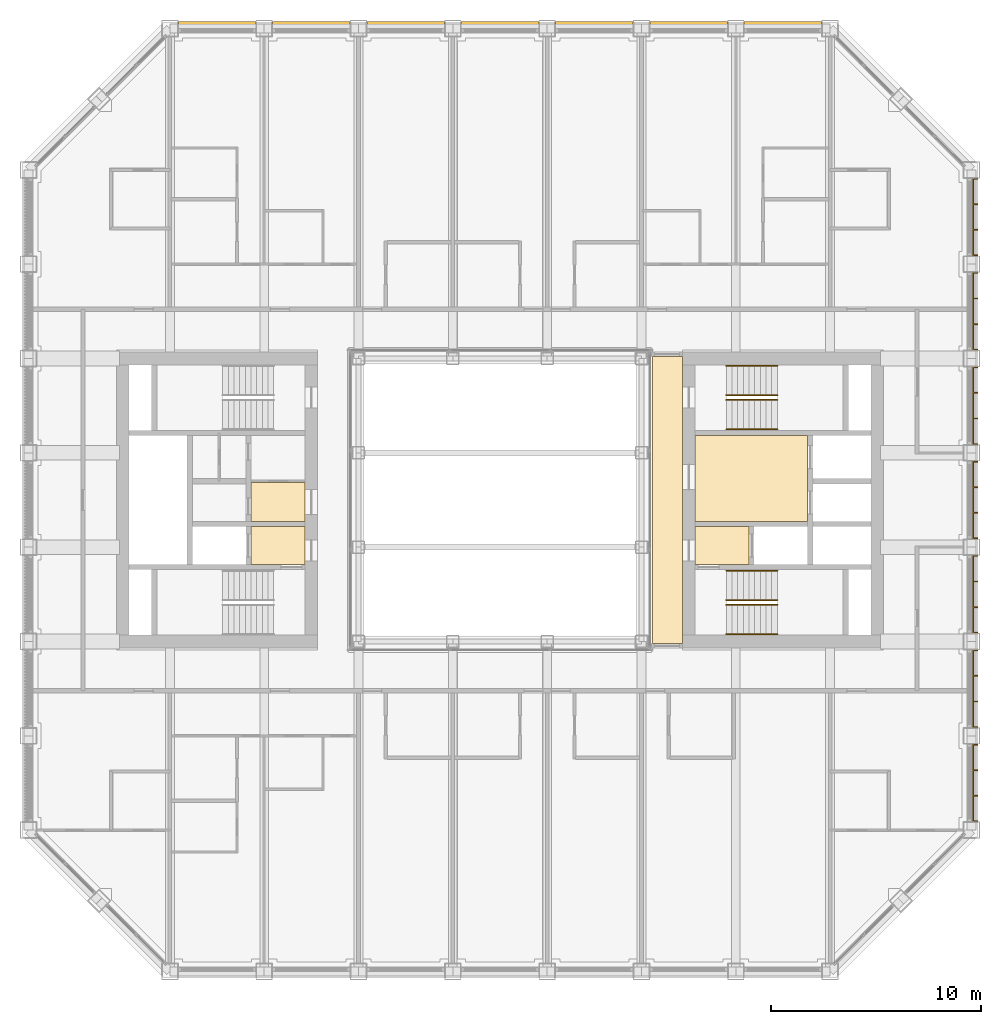
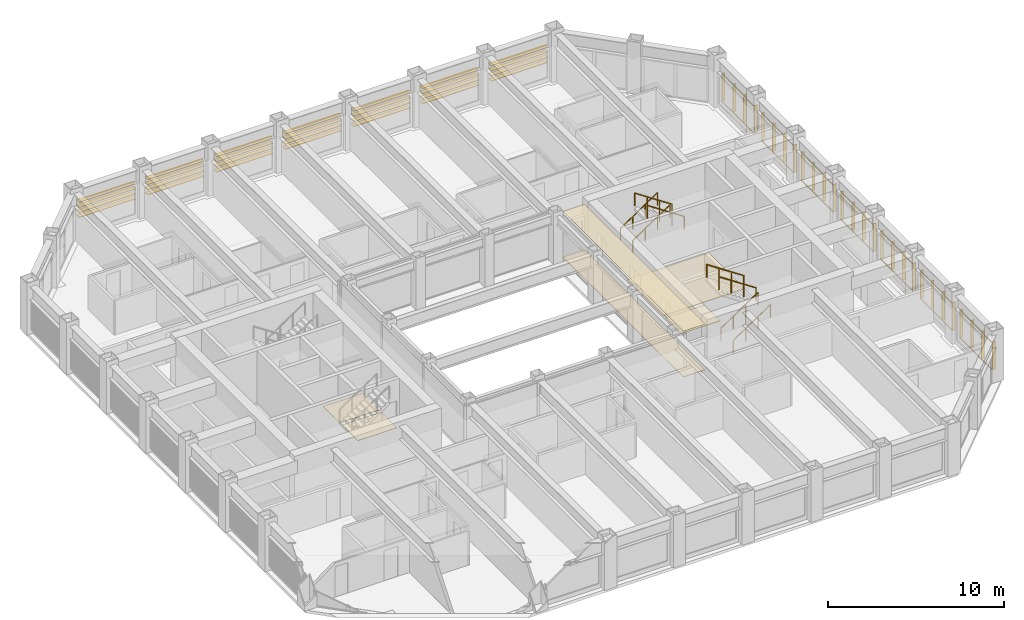
# One storey, part 18 of 18: 8 railings, 2 coverings, 2 shading devices.
"""IFC4 building model written with IfcOpenShell, lengths in metres."""

from ifc_helpers import new_model, si_unit, direction, frame, origin, origin_2d, place, context, subcontext, project, spatial, line, indexed_curve, rectangle, circle, outline, extrude, material, layer, layer_set, type_object, element, save


model = new_model("IFC4")

# Units and contexts
model_context = context("Model", 3, precision=1e-05, world=origin(), true_north=direction((0.0, 1.0)))
body_context = subcontext(model_context, "Body", "Model", "MODEL_VIEW")
ifc_project = project(units=[si_unit("LENGTHUNIT", "METRE"), si_unit("AREAUNIT", "SQUARE_METRE"), si_unit("VOLUMEUNIT", "CUBIC_METRE"), si_unit("PLANEANGLEUNIT", "RADIAN"), si_unit("MASSUNIT", "GRAM", prefix="KILO")], contexts=[model_context])

# Site, building, storey
site_placement = place(None, origin())
site = spatial("IfcSite", under=ifc_project, at=site_placement, CompositionType="ELEMENT")
building_placement = place(site_placement, origin())
building = spatial("IfcBuilding", under=site, at=building_placement, Name="Msasa Ring Tower", CompositionType="ELEMENT")
storey_placement = place(building_placement, frame((0.0, 0.0, 186.800048828125)))
storey = spatial("IfcBuildingStorey", under=building, at=storey_placement, Name="L49", CompositionType="ELEMENT", Elevation=186.800048828125)

# Shading device
ifc_material_1 = material(Name="Extruded terracotta on aluminium carriers", Category="masonry")
shading_device_type_1 = type_object("IfcShadingDeviceType", Name="BS2 TERRACOTTA FIN SCREEN 40x200 AT 1350", PredefinedType="USERDEFINED", material=ifc_material_1)
shading_device_1_placement = place(storey_placement, origin())
element("IfcShadingDevice", 1, at=shading_device_1_placement, inside=storey, type_object=shading_device_type_1, Name="Terracotta fin screen E L49", ObjectType="BAGUETTE", PredefinedType="USERDEFINED", context=body_context, shape_type="SweptSolid", body=[
    extrude(rectangle(XDim=0.06005859375, YDim=0.0400390625, at=origin_2d()), frame((22.580078125, -15.35009765625, 0.329833984375), z_axis=(0.0, 1.0, 0.0), x_axis=(0.0, 0.0, 1.0)), (0.0, 0.0, 1.0), 3.699951171875),
    extrude(rectangle(XDim=0.06005859375, YDim=0.0400390625, at=origin_2d()), frame((22.580078125, -15.35009765625, 2.198974609375), z_axis=(0.0, 1.0, 0.0), x_axis=(0.0, 0.0, 1.0)), (0.0, 0.0, 1.0), 3.699951171875),
    extrude(rectangle(XDim=0.0400390625, YDim=0.199951171875, at=origin_2d()), frame((22.695068359375, -15.330078125, 0.300048828125), z_axis=(0.0, 0.0, 1.0), x_axis=(0.0, 1.0, 0.0)), (0.0, 0.0, 1.0), 1.928955078125),
    extrude(rectangle(XDim=0.0400390625, YDim=0.199951171875, at=origin_2d()), frame((22.695068359375, -14.110107421875, 0.300048828125), z_axis=(0.0, 0.0, 1.0), x_axis=(0.0, 1.0, 0.0)), (0.0, 0.0, 1.0), 1.928955078125),
    extrude(rectangle(XDim=0.0400390625, YDim=0.199951171875, at=origin_2d()), frame((22.695068359375, -12.889892578125, 0.300048828125), z_axis=(0.0, 0.0, 1.0), x_axis=(0.0, 1.0, 0.0)), (0.0, 0.0, 1.0), 1.928955078125),
    extrude(rectangle(XDim=0.0400390625, YDim=0.199951171875, at=origin_2d()), frame((22.695068359375, -11.669921875, 0.300048828125), z_axis=(0.0, 0.0, 1.0), x_axis=(0.0, 1.0, 0.0)), (0.0, 0.0, 1.0), 1.928955078125),
    extrude(rectangle(XDim=0.06005859375, YDim=0.0400390625, at=origin_2d()), frame((22.580078125, -10.85009765625, 0.329833984375), z_axis=(0.0, 1.0, 0.0), x_axis=(0.0, 0.0, 1.0)), (0.0, 0.0, 1.0), 3.699951171875),
    extrude(rectangle(XDim=0.06005859375, YDim=0.0400390625, at=origin_2d()), frame((22.580078125, -10.85009765625, 2.198974609375), z_axis=(0.0, 1.0, 0.0), x_axis=(0.0, 0.0, 1.0)), (0.0, 0.0, 1.0), 3.699951171875),
    extrude(rectangle(XDim=0.0400390625, YDim=0.199951171875, at=origin_2d()), frame((22.695068359375, -10.830078125, 0.300048828125), z_axis=(0.0, 0.0, 1.0), x_axis=(0.0, 1.0, 0.0)), (0.0, 0.0, 1.0), 1.928955078125),
    extrude(rectangle(XDim=0.0400390625, YDim=0.199951171875, at=origin_2d()), frame((22.695068359375, -9.610107421875, 0.300048828125), z_axis=(0.0, 0.0, 1.0), x_axis=(0.0, 1.0, 0.0)), (0.0, 0.0, 1.0), 1.928955078125),
    extrude(rectangle(XDim=0.0400390625, YDim=0.199951171875, at=origin_2d()), frame((22.695068359375, -8.389892578125, 0.300048828125), z_axis=(0.0, 0.0, 1.0), x_axis=(0.0, 1.0, 0.0)), (0.0, 0.0, 1.0), 1.928955078125),
    extrude(rectangle(XDim=0.0400390625, YDim=0.199951171875, at=origin_2d()), frame((22.695068359375, -7.169921875, 0.300048828125), z_axis=(0.0, 0.0, 1.0), x_axis=(0.0, 1.0, 0.0)), (0.0, 0.0, 1.0), 1.928955078125),
    extrude(rectangle(XDim=0.06005859375, YDim=0.0400390625, at=origin_2d()), frame((22.580078125, -6.35009765625, 0.329833984375), z_axis=(0.0, 1.0, 0.0), x_axis=(0.0, 0.0, 1.0)), (0.0, 0.0, 1.0), 3.699951171875),
    extrude(rectangle(XDim=0.06005859375, YDim=0.0400390625, at=origin_2d()), frame((22.580078125, -6.35009765625, 2.198974609375), z_axis=(0.0, 1.0, 0.0), x_axis=(0.0, 0.0, 1.0)), (0.0, 0.0, 1.0), 3.699951171875),
    extrude(rectangle(XDim=0.0400390625, YDim=0.199951171875, at=origin_2d()), frame((22.695068359375, -6.330078125, 0.300048828125), z_axis=(0.0, 0.0, 1.0), x_axis=(0.0, 1.0, 0.0)), (0.0, 0.0, 1.0), 1.928955078125),
    extrude(rectangle(XDim=0.0400390625, YDim=0.199951171875, at=origin_2d()), frame((22.695068359375, -5.110107421875, 0.300048828125), z_axis=(0.0, 0.0, 1.0), x_axis=(0.0, 1.0, 0.0)), (0.0, 0.0, 1.0), 1.928955078125),
    extrude(rectangle(XDim=0.0400390625, YDim=0.199951171875, at=origin_2d()), frame((22.695068359375, -3.889892578125, 0.300048828125), z_axis=(0.0, 0.0, 1.0), x_axis=(0.0, 1.0, 0.0)), (0.0, 0.0, 1.0), 1.928955078125),
    extrude(rectangle(XDim=0.0400390625, YDim=0.199951171875, at=origin_2d()), frame((22.695068359375, -2.669921875, 0.300048828125), z_axis=(0.0, 0.0, 1.0), x_axis=(0.0, 1.0, 0.0)), (0.0, 0.0, 1.0), 1.928955078125),
    extrude(rectangle(XDim=0.06005859375, YDim=0.0400390625, at=origin_2d()), frame((22.580078125, -1.85009765625, 0.329833984375), z_axis=(0.0, 1.0, 0.0), x_axis=(0.0, 0.0, 1.0)), (0.0, 0.0, 1.0), 3.699951171875),
    extrude(rectangle(XDim=0.06005859375, YDim=0.0400390625, at=origin_2d()), frame((22.580078125, -1.85009765625, 2.198974609375), z_axis=(0.0, 1.0, 0.0), x_axis=(0.0, 0.0, 1.0)), (0.0, 0.0, 1.0), 3.699951171875),
    extrude(rectangle(XDim=0.0400390625, YDim=0.199951171875, at=origin_2d()), frame((22.695068359375, -1.830078125, 0.300048828125), z_axis=(0.0, 0.0, 1.0), x_axis=(0.0, 1.0, 0.0)), (0.0, 0.0, 1.0), 1.928955078125),
    extrude(rectangle(XDim=0.0400390625, YDim=0.199951171875, at=origin_2d()), frame((22.695068359375, -0.610107421875, 0.300048828125), z_axis=(0.0, 0.0, 1.0), x_axis=(0.0, 1.0, 0.0)), (0.0, 0.0, 1.0), 1.928955078125),
    extrude(rectangle(XDim=0.0400390625, YDim=0.199951171875, at=origin_2d()), frame((22.695068359375, 0.610107421875, 0.300048828125), z_axis=(0.0, 0.0, 1.0), x_axis=(0.0, 1.0, 0.0)), (0.0, 0.0, 1.0), 1.928955078125),
    extrude(rectangle(XDim=0.0400390625, YDim=0.199951171875, at=origin_2d()), frame((22.695068359375, 1.830078125, 0.300048828125), z_axis=(0.0, 0.0, 1.0), x_axis=(0.0, 1.0, 0.0)), (0.0, 0.0, 1.0), 1.928955078125),
    extrude(rectangle(XDim=0.06005859375, YDim=0.0400390625, at=origin_2d()), frame((22.580078125, 2.64990234375, 0.329833984375), z_axis=(0.0, 1.0, 0.0), x_axis=(0.0, 0.0, 1.0)), (0.0, 0.0, 1.0), 3.699951171875),
    extrude(rectangle(XDim=0.06005859375, YDim=0.0400390625, at=origin_2d()), frame((22.580078125, 2.64990234375, 2.198974609375), z_axis=(0.0, 1.0, 0.0), x_axis=(0.0, 0.0, 1.0)), (0.0, 0.0, 1.0), 3.699951171875),
    extrude(rectangle(XDim=0.0400390625, YDim=0.199951171875, at=origin_2d()), frame((22.695068359375, 2.669921875, 0.300048828125), z_axis=(0.0, 0.0, 1.0), x_axis=(0.0, 1.0, 0.0)), (0.0, 0.0, 1.0), 1.928955078125),
    extrude(rectangle(XDim=0.0400390625, YDim=0.199951171875, at=origin_2d()), frame((22.695068359375, 3.889892578125, 0.300048828125), z_axis=(0.0, 0.0, 1.0), x_axis=(0.0, 1.0, 0.0)), (0.0, 0.0, 1.0), 1.928955078125),
    extrude(rectangle(XDim=0.0400390625, YDim=0.199951171875, at=origin_2d()), frame((22.695068359375, 5.110107421875, 0.300048828125), z_axis=(0.0, 0.0, 1.0), x_axis=(0.0, 1.0, 0.0)), (0.0, 0.0, 1.0), 1.928955078125),
    extrude(rectangle(XDim=0.0400390625, YDim=0.199951171875, at=origin_2d()), frame((22.695068359375, 6.330078125, 0.300048828125), z_axis=(0.0, 0.0, 1.0), x_axis=(0.0, 1.0, 0.0)), (0.0, 0.0, 1.0), 1.928955078125),
    extrude(rectangle(XDim=0.06005859375, YDim=0.0400390625, at=origin_2d()), frame((22.580078125, 7.14990234375, 0.329833984375), z_axis=(0.0, 1.0, 0.0), x_axis=(0.0, 0.0, 1.0)), (0.0, 0.0, 1.0), 3.699951171875),
    extrude(rectangle(XDim=0.06005859375, YDim=0.0400390625, at=origin_2d()), frame((22.580078125, 7.14990234375, 2.198974609375), z_axis=(0.0, 1.0, 0.0), x_axis=(0.0, 0.0, 1.0)), (0.0, 0.0, 1.0), 3.699951171875),
    extrude(rectangle(XDim=0.0400390625, YDim=0.199951171875, at=origin_2d()), frame((22.695068359375, 7.169921875, 0.300048828125), z_axis=(0.0, 0.0, 1.0), x_axis=(0.0, 1.0, 0.0)), (0.0, 0.0, 1.0), 1.928955078125),
    extrude(rectangle(XDim=0.0400390625, YDim=0.199951171875, at=origin_2d()), frame((22.695068359375, 8.389892578125, 0.300048828125), z_axis=(0.0, 0.0, 1.0), x_axis=(0.0, 1.0, 0.0)), (0.0, 0.0, 1.0), 1.928955078125),
    extrude(rectangle(XDim=0.0400390625, YDim=0.199951171875, at=origin_2d()), frame((22.695068359375, 9.610107421875, 0.300048828125), z_axis=(0.0, 0.0, 1.0), x_axis=(0.0, 1.0, 0.0)), (0.0, 0.0, 1.0), 1.928955078125),
    extrude(rectangle(XDim=0.0400390625, YDim=0.199951171875, at=origin_2d()), frame((22.695068359375, 10.830078125, 0.300048828125), z_axis=(0.0, 0.0, 1.0), x_axis=(0.0, 1.0, 0.0)), (0.0, 0.0, 1.0), 1.928955078125),
    extrude(rectangle(XDim=0.06005859375, YDim=0.0400390625, at=origin_2d()), frame((22.580078125, 11.64990234375, 0.329833984375), z_axis=(0.0, 1.0, 0.0), x_axis=(0.0, 0.0, 1.0)), (0.0, 0.0, 1.0), 3.699951171875),
    extrude(rectangle(XDim=0.06005859375, YDim=0.0400390625, at=origin_2d()), frame((22.580078125, 11.64990234375, 2.198974609375), z_axis=(0.0, 1.0, 0.0), x_axis=(0.0, 0.0, 1.0)), (0.0, 0.0, 1.0), 3.699951171875),
    extrude(rectangle(XDim=0.0400390625, YDim=0.199951171875, at=origin_2d()), frame((22.695068359375, 11.669921875, 0.300048828125), z_axis=(0.0, 0.0, 1.0), x_axis=(0.0, 1.0, 0.0)), (0.0, 0.0, 1.0), 1.928955078125),
    extrude(rectangle(XDim=0.0400390625, YDim=0.199951171875, at=origin_2d()), frame((22.695068359375, 12.889892578125, 0.300048828125), z_axis=(0.0, 0.0, 1.0), x_axis=(0.0, 1.0, 0.0)), (0.0, 0.0, 1.0), 1.928955078125),
    extrude(rectangle(XDim=0.0400390625, YDim=0.199951171875, at=origin_2d()), frame((22.695068359375, 14.110107421875, 0.300048828125), z_axis=(0.0, 0.0, 1.0), x_axis=(0.0, 1.0, 0.0)), (0.0, 0.0, 1.0), 1.928955078125),
    extrude(rectangle(XDim=0.0400390625, YDim=0.199951171875, at=origin_2d()), frame((22.695068359375, 15.330078125, 0.300048828125), z_axis=(0.0, 0.0, 1.0), x_axis=(0.0, 1.0, 0.0)), (0.0, 0.0, 1.0), 1.928955078125),
])

# Coverings
ifc_material_2 = material(Name="Gypsum plasterboard on a steel suspension grid", Category="steel")
ifc_layer_1 = layer(ifc_material_2, 0.014892578125)
ifc_layer_set_1 = layer_set([ifc_layer_1], Name="C1 SUSPENDED PLASTERBOARD CEILING 15")
covering_type_1 = type_object("IfcCoveringType", Name="C1 SUSPENDED PLASTERBOARD CEILING 15", PredefinedType="CEILING", material=ifc_layer_set_1)
covering_1_placement = place(storey_placement, frame((0.0, 0.0, 3.175048828125)))
element("IfcCovering", 2, at=covering_1_placement, inside=storey, type_object=covering_type_1, Name="Suspended Plasterboard Ceiling 15 public rooms L49", PredefinedType="CEILING", context=body_context, shape_type="SweptSolid", body=[
    extrude(outline(indexed_curve([(8.699462890625, 6.849609375), (8.699462890625, -6.849609375), (7.280029296875, -6.849609375), (7.280029296875, 6.849609375)], segments=[line(1, 2, 3, 4, 1)], self_intersect=False)), origin(), (0.0, 0.0, 1.0), 0.014892578125),
])
ifc_material_3 = material(Name="Honed granite tiles on a mortar bed", Category="masonry")
ifc_layer_2 = layer(ifc_material_3, 0.030029296875)
ifc_layer_set_2 = layer_set([ifc_layer_2], Name="F1 HONED GRANITE ON BEDDING 30")
covering_type_2 = type_object("IfcCoveringType", Name="F1 HONED GRANITE ON BEDDING 30", PredefinedType="FLOORING", material=ifc_layer_set_2)
covering_2_placement = place(storey_placement, origin())
element("IfcCovering", 3, at=covering_2_placement, inside=storey, type_object=covering_type_2, Name="Honed Granite On Bedding 30 L49", PredefinedType="FLOORING", context=body_context, shape_type="SweptSolid", body=[
    extrude(outline(indexed_curve([(-11.87451171875, -3.074462890625), (-11.87451171875, -1.275390625), (-9.300537109375, -1.275390625), (-9.300537109375, -3.074462890625)], segments=[line(1, 2, 3, 4, 1)], self_intersect=False)), origin(), (0.0, 0.0, 1.0), 0.030029296875),
    extrude(outline(indexed_curve([(-11.87451171875, -1.0244140625), (-11.87451171875, 0.844482421875), (-9.300537109375, 0.844482421875), (-9.300537109375, -1.0244140625)], segments=[line(1, 2, 3, 4, 1)], self_intersect=False)), origin(), (0.0, 0.0, 1.0), 0.030029296875),
    extrude(outline(indexed_curve([(8.699462890625, 6.849609375), (8.699462890625, -6.849609375), (7.280029296875, -6.849609375), (7.280029296875, 6.849609375)], segments=[line(1, 2, 3, 4, 1)], self_intersect=False)), origin(), (0.0, 0.0, 1.0), 0.030029296875),
    extrude(outline(indexed_curve([(9.300537109375, -3.074462890625), (9.300537109375, -1.275390625), (11.87451171875, -1.275390625), (11.87451171875, -3.074462890625)], segments=[line(1, 2, 3, 4, 1)], self_intersect=False)), origin(), (0.0, 0.0, 1.0), 0.030029296875),
    extrude(outline(indexed_curve([(9.300537109375, 3.074462890625), (14.674560546875, 3.074462890625), (14.674560546875, -1.0244140625), (9.300537109375, -1.0244140625)], segments=[line(1, 2, 3, 4, 1)], self_intersect=False)), origin(), (0.0, 0.0, 1.0), 0.030029296875),
])

# Railings
ifc_material_4 = material(Name="Stainless steel", Category="steel")
railing_type = type_object("IfcRailingType", Name="HR1 HANDRAIL 900", PredefinedType="HANDRAIL", material=ifc_material_4)
for number, where, name in (
    (4, (10.800048828125, -6.39990234375, 0.179931640625), "Handrail stair SEA L49 1"),
    (5, (10.800048828125, -5.0, 0.179931640625), "Handrail stair SEA L49 2"),
):
    element("IfcRailing", number, at=place(storey_placement, frame(where)), inside=storey, type_object=railing_type, Name=name, PredefinedType="HANDRAIL", context=body_context, shape_type="SweptSolid", body=[
        extrude(circle(Radius=0.02392578125, at=origin_2d()), frame((0.0, 0.0, 0.8759765625), z_axis=(0.832024571796, 0.0, 0.554738778101), x_axis=(0.0, 1.0, 0.0)), (0.0, 0.0, 1.0), 2.92041015625),
        extrude(circle(Radius=0.02099609375, at=origin_2d()), origin(), (0.0, 0.0, 1.0), 0.851806640625),
        extrude(circle(Radius=0.02099609375, at=origin_2d()), frame((0.81005859375, 0.0, 0.5400390625)), (0.0, 0.0, 1.0), 0.851806640625),
        extrude(circle(Radius=0.02099609375, at=origin_2d()), frame((1.619873046875, 0.0, 1.080078125)), (0.0, 0.0, 1.0), 0.851806640625),
        extrude(circle(Radius=0.02099609375, at=origin_2d()), frame((2.429931640625, 0.0, 1.6201171875)), (0.0, 0.0, 1.0), 0.851806640625),
    ])
for number, where, name in (
    (6, (13.22998046875, -4.77490234375, 1.97998046875), "Handrail stair SEA L49 3"),
    (7, (13.22998046875, -3.375, 1.97998046875), "Handrail stair SEA L49 4"),
):
    element("IfcRailing", number, at=place(storey_placement, frame(where)), inside=storey, type_object=railing_type, Name=name, PredefinedType="HANDRAIL", context=body_context, shape_type="SweptSolid", body=[
        extrude(circle(Radius=0.02392578125, at=origin_2d()), frame((0.0, 0.0, 0.8759765625), z_axis=(-0.832063155534, 0.0, 0.554680903946), x_axis=(0.0, -1.0, 0.0)), (0.0, 0.0, 1.0), 2.92041015625),
        extrude(circle(Radius=0.02099609375, at=origin_2d()), origin(), (0.0, 0.0, 1.0), 0.851806640625),
        extrude(circle(Radius=0.02099609375, at=origin_2d()), frame((-0.81005859375, 0.0, 0.5400390625)), (0.0, 0.0, 1.0), 0.851806640625),
        extrude(circle(Radius=0.02099609375, at=origin_2d()), frame((-1.619873046875, 0.0, 1.079833984375)), (0.0, 0.0, 1.0), 0.851806640625),
        extrude(circle(Radius=0.02099609375, at=origin_2d()), frame((-2.429931640625, 0.0, 1.619873046875)), (0.0, 0.0, 1.0), 0.851806640625),
    ])
for number, where, name in (
    (8, (10.800048828125, 5.0, 0.179931640625), "Handrail stair SEB L49 1"),
    (9, (10.800048828125, 6.39990234375, 0.179931640625), "Handrail stair SEB L49 2"),
):
    element("IfcRailing", number, at=place(storey_placement, frame(where)), inside=storey, type_object=railing_type, Name=name, PredefinedType="HANDRAIL", context=body_context, shape_type="SweptSolid", body=[
        extrude(circle(Radius=0.02392578125, at=origin_2d()), frame((0.0, 0.0, 0.8759765625), z_axis=(0.832024571796, 0.0, 0.554738778101), x_axis=(0.0, 1.0, 0.0)), (0.0, 0.0, 1.0), 2.92041015625),
        extrude(circle(Radius=0.02099609375, at=origin_2d()), origin(), (0.0, 0.0, 1.0), 0.851806640625),
        extrude(circle(Radius=0.02099609375, at=origin_2d()), frame((0.81005859375, 0.0, 0.5400390625)), (0.0, 0.0, 1.0), 0.851806640625),
        extrude(circle(Radius=0.02099609375, at=origin_2d()), frame((1.619873046875, 0.0, 1.080078125)), (0.0, 0.0, 1.0), 0.851806640625),
        extrude(circle(Radius=0.02099609375, at=origin_2d()), frame((2.429931640625, 0.0, 1.6201171875)), (0.0, 0.0, 1.0), 0.851806640625),
    ])
for number, where, name in (
    (10, (13.22998046875, 3.375, 1.97998046875), "Handrail stair SEB L49 3"),
    (11, (13.22998046875, 4.77490234375, 1.97998046875), "Handrail stair SEB L49 4"),
):
    element("IfcRailing", number, at=place(storey_placement, frame(where)), inside=storey, type_object=railing_type, Name=name, PredefinedType="HANDRAIL", context=body_context, shape_type="SweptSolid", body=[
        extrude(circle(Radius=0.02392578125, at=origin_2d()), frame((0.0, 0.0, 0.8759765625), z_axis=(-0.832063155534, 0.0, 0.554680903946), x_axis=(0.0, -1.0, 0.0)), (0.0, 0.0, 1.0), 2.92041015625),
        extrude(circle(Radius=0.02099609375, at=origin_2d()), origin(), (0.0, 0.0, 1.0), 0.851806640625),
        extrude(circle(Radius=0.02099609375, at=origin_2d()), frame((-0.81005859375, 0.0, 0.5400390625)), (0.0, 0.0, 1.0), 0.851806640625),
        extrude(circle(Radius=0.02099609375, at=origin_2d()), frame((-1.619873046875, 0.0, 1.079833984375)), (0.0, 0.0, 1.0), 0.851806640625),
        extrude(circle(Radius=0.02099609375, at=origin_2d()), frame((-2.429931640625, 0.0, 1.619873046875)), (0.0, 0.0, 1.0), 0.851806640625),
    ])

# Shading device
ifc_material_5 = material(Name="Extruded terracotta blades", Category="masonry")
shading_device_type_2 = type_object("IfcShadingDeviceType", Name="SS1 TERRACOTTA SUNSHADE 4 BLADES 300x40 AT 350", PredefinedType="USERDEFINED", material=ifc_material_5)
shading_device_2_placement = place(storey_placement, origin())
element("IfcShadingDevice", 12, at=shading_device_2_placement, inside=storey, type_object=shading_device_type_2, Name="Terracotta sunshade N L49", ObjectType="SUNSHADE", PredefinedType="USERDEFINED", context=body_context, shape_type="SweptSolid", body=[
    extrude(rectangle(XDim=0.0400390625, YDim=0.300048828125, at=origin_2d()), frame((-15.35009765625, 22.679931640625, 2.208984375), z_axis=(1.0, 0.0, 0.0), x_axis=(0.0, 0.0, 1.0)), (0.0, 0.0, 1.0), 3.699951171875),
    extrude(rectangle(XDim=0.0400390625, YDim=0.300048828125, at=origin_2d()), frame((-15.35009765625, 22.679931640625, 1.85888671875), z_axis=(1.0, 0.0, 0.0), x_axis=(0.0, 0.0, 1.0)), (0.0, 0.0, 1.0), 3.699951171875),
    extrude(rectangle(XDim=0.0400390625, YDim=0.300048828125, at=origin_2d()), frame((-15.35009765625, 22.679931640625, 1.509033203125), z_axis=(1.0, 0.0, 0.0), x_axis=(0.0, 0.0, 1.0)), (0.0, 0.0, 1.0), 3.699951171875),
    extrude(rectangle(XDim=0.0400390625, YDim=0.300048828125, at=origin_2d()), frame((-15.35009765625, 22.679931640625, 1.158935546875), z_axis=(1.0, 0.0, 0.0), x_axis=(0.0, 0.0, 1.0)), (0.0, 0.0, 1.0), 3.699951171875),
    extrude(rectangle(XDim=0.0400390625, YDim=0.300048828125, at=origin_2d()), frame((-10.85009765625, 22.679931640625, 2.208984375), z_axis=(1.0, 0.0, 0.0), x_axis=(0.0, 0.0, 1.0)), (0.0, 0.0, 1.0), 3.699951171875),
    extrude(rectangle(XDim=0.0400390625, YDim=0.300048828125, at=origin_2d()), frame((-10.85009765625, 22.679931640625, 1.85888671875), z_axis=(1.0, 0.0, 0.0), x_axis=(0.0, 0.0, 1.0)), (0.0, 0.0, 1.0), 3.699951171875),
    extrude(rectangle(XDim=0.0400390625, YDim=0.300048828125, at=origin_2d()), frame((-10.85009765625, 22.679931640625, 1.509033203125), z_axis=(1.0, 0.0, 0.0), x_axis=(0.0, 0.0, 1.0)), (0.0, 0.0, 1.0), 3.699951171875),
    extrude(rectangle(XDim=0.0400390625, YDim=0.300048828125, at=origin_2d()), frame((-10.85009765625, 22.679931640625, 1.158935546875), z_axis=(1.0, 0.0, 0.0), x_axis=(0.0, 0.0, 1.0)), (0.0, 0.0, 1.0), 3.699951171875),
    extrude(rectangle(XDim=0.0400390625, YDim=0.300048828125, at=origin_2d()), frame((-6.35009765625, 22.679931640625, 2.208984375), z_axis=(1.0, 0.0, 0.0), x_axis=(0.0, 0.0, 1.0)), (0.0, 0.0, 1.0), 3.699951171875),
    extrude(rectangle(XDim=0.0400390625, YDim=0.300048828125, at=origin_2d()), frame((-6.35009765625, 22.679931640625, 1.85888671875), z_axis=(1.0, 0.0, 0.0), x_axis=(0.0, 0.0, 1.0)), (0.0, 0.0, 1.0), 3.699951171875),
    extrude(rectangle(XDim=0.0400390625, YDim=0.300048828125, at=origin_2d()), frame((-6.35009765625, 22.679931640625, 1.509033203125), z_axis=(1.0, 0.0, 0.0), x_axis=(0.0, 0.0, 1.0)), (0.0, 0.0, 1.0), 3.699951171875),
    extrude(rectangle(XDim=0.0400390625, YDim=0.300048828125, at=origin_2d()), frame((-6.35009765625, 22.679931640625, 1.158935546875), z_axis=(1.0, 0.0, 0.0), x_axis=(0.0, 0.0, 1.0)), (0.0, 0.0, 1.0), 3.699951171875),
    extrude(rectangle(XDim=0.0400390625, YDim=0.300048828125, at=origin_2d()), frame((-1.85009765625, 22.679931640625, 2.208984375), z_axis=(1.0, 0.0, 0.0), x_axis=(0.0, 0.0, 1.0)), (0.0, 0.0, 1.0), 3.699951171875),
    extrude(rectangle(XDim=0.0400390625, YDim=0.300048828125, at=origin_2d()), frame((-1.85009765625, 22.679931640625, 1.85888671875), z_axis=(1.0, 0.0, 0.0), x_axis=(0.0, 0.0, 1.0)), (0.0, 0.0, 1.0), 3.699951171875),
    extrude(rectangle(XDim=0.0400390625, YDim=0.300048828125, at=origin_2d()), frame((-1.85009765625, 22.679931640625, 1.509033203125), z_axis=(1.0, 0.0, 0.0), x_axis=(0.0, 0.0, 1.0)), (0.0, 0.0, 1.0), 3.699951171875),
    extrude(rectangle(XDim=0.0400390625, YDim=0.300048828125, at=origin_2d()), frame((-1.85009765625, 22.679931640625, 1.158935546875), z_axis=(1.0, 0.0, 0.0), x_axis=(0.0, 0.0, 1.0)), (0.0, 0.0, 1.0), 3.699951171875),
    extrude(rectangle(XDim=0.0400390625, YDim=0.300048828125, at=origin_2d()), frame((2.64990234375, 22.679931640625, 2.208984375), z_axis=(1.0, 0.0, 0.0), x_axis=(0.0, 0.0, 1.0)), (0.0, 0.0, 1.0), 3.699951171875),
    extrude(rectangle(XDim=0.0400390625, YDim=0.300048828125, at=origin_2d()), frame((2.64990234375, 22.679931640625, 1.85888671875), z_axis=(1.0, 0.0, 0.0), x_axis=(0.0, 0.0, 1.0)), (0.0, 0.0, 1.0), 3.699951171875),
    extrude(rectangle(XDim=0.0400390625, YDim=0.300048828125, at=origin_2d()), frame((2.64990234375, 22.679931640625, 1.509033203125), z_axis=(1.0, 0.0, 0.0), x_axis=(0.0, 0.0, 1.0)), (0.0, 0.0, 1.0), 3.699951171875),
    extrude(rectangle(XDim=0.0400390625, YDim=0.300048828125, at=origin_2d()), frame((2.64990234375, 22.679931640625, 1.158935546875), z_axis=(1.0, 0.0, 0.0), x_axis=(0.0, 0.0, 1.0)), (0.0, 0.0, 1.0), 3.699951171875),
    extrude(rectangle(XDim=0.0400390625, YDim=0.300048828125, at=origin_2d()), frame((7.14990234375, 22.679931640625, 2.208984375), z_axis=(1.0, 0.0, 0.0), x_axis=(0.0, 0.0, 1.0)), (0.0, 0.0, 1.0), 3.699951171875),
    extrude(rectangle(XDim=0.0400390625, YDim=0.300048828125, at=origin_2d()), frame((7.14990234375, 22.679931640625, 1.85888671875), z_axis=(1.0, 0.0, 0.0), x_axis=(0.0, 0.0, 1.0)), (0.0, 0.0, 1.0), 3.699951171875),
    extrude(rectangle(XDim=0.0400390625, YDim=0.300048828125, at=origin_2d()), frame((7.14990234375, 22.679931640625, 1.509033203125), z_axis=(1.0, 0.0, 0.0), x_axis=(0.0, 0.0, 1.0)), (0.0, 0.0, 1.0), 3.699951171875),
    extrude(rectangle(XDim=0.0400390625, YDim=0.300048828125, at=origin_2d()), frame((7.14990234375, 22.679931640625, 1.158935546875), z_axis=(1.0, 0.0, 0.0), x_axis=(0.0, 0.0, 1.0)), (0.0, 0.0, 1.0), 3.699951171875),
    extrude(rectangle(XDim=0.0400390625, YDim=0.300048828125, at=origin_2d()), frame((11.64990234375, 22.679931640625, 2.208984375), z_axis=(1.0, 0.0, 0.0), x_axis=(0.0, 0.0, 1.0)), (0.0, 0.0, 1.0), 3.699951171875),
    extrude(rectangle(XDim=0.0400390625, YDim=0.300048828125, at=origin_2d()), frame((11.64990234375, 22.679931640625, 1.85888671875), z_axis=(1.0, 0.0, 0.0), x_axis=(0.0, 0.0, 1.0)), (0.0, 0.0, 1.0), 3.699951171875),
    extrude(rectangle(XDim=0.0400390625, YDim=0.300048828125, at=origin_2d()), frame((11.64990234375, 22.679931640625, 1.509033203125), z_axis=(1.0, 0.0, 0.0), x_axis=(0.0, 0.0, 1.0)), (0.0, 0.0, 1.0), 3.699951171875),
    extrude(rectangle(XDim=0.0400390625, YDim=0.300048828125, at=origin_2d()), frame((11.64990234375, 22.679931640625, 1.158935546875), z_axis=(1.0, 0.0, 0.0), x_axis=(0.0, 0.0, 1.0)), (0.0, 0.0, 1.0), 3.699951171875),
])

save(model, "model.ifc")
